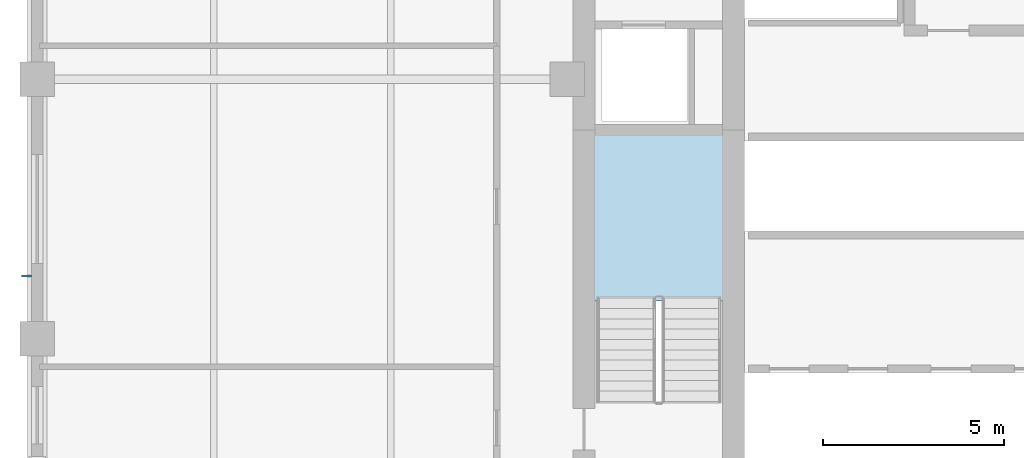
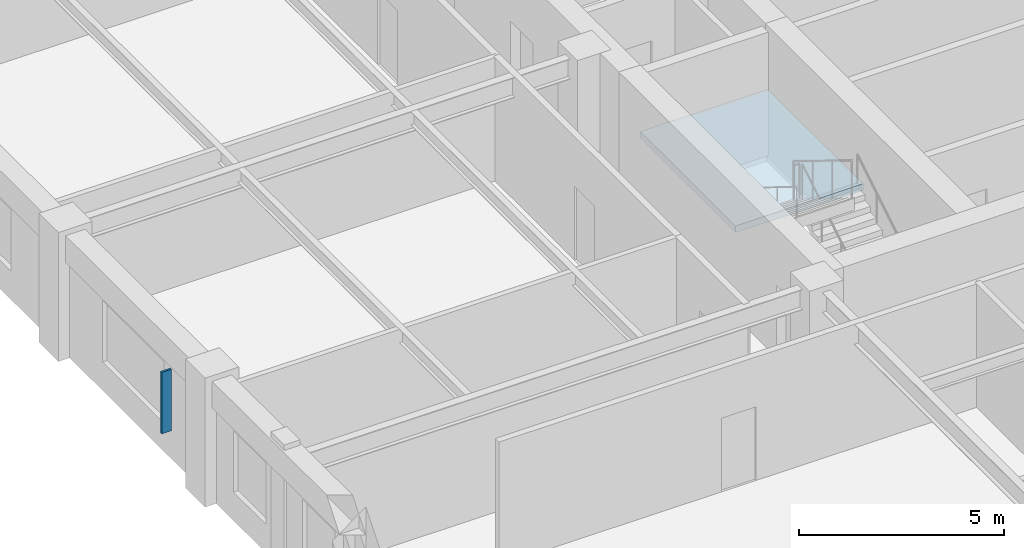
# One storey, part 3 of 11: 1 plate, 1 slab, 1 element without a shape of its own.
"""IFC4 building model written with IfcOpenShell, lengths in metres."""

from ifc_helpers import new_model, si_unit, direction, frame, origin, origin_2d, place, context, subcontext, project, spatial, polyline, rectangle, outline, extrude, material, layer, layer_set, type_object, element, aggregate, save


model = new_model("IFC4")

# Units and contexts
model_context = context("Model", 3, precision=1e-05, world=origin(), true_north=direction((0.0, 1.0)))
body_context = subcontext(model_context, "Body", "Model", "MODEL_VIEW")
ifc_project = project(units=[si_unit("LENGTHUNIT", "METRE"), si_unit("AREAUNIT", "SQUARE_METRE"), si_unit("VOLUMEUNIT", "CUBIC_METRE"), si_unit("PLANEANGLEUNIT", "RADIAN"), si_unit("MASSUNIT", "GRAM", prefix="KILO")], contexts=[model_context])

# Site, building, storey
site_placement = place(None, origin())
site = spatial("IfcSite", under=ifc_project, at=site_placement, CompositionType="ELEMENT")
building_placement = place(site_placement, origin())
building = spatial("IfcBuilding", under=site, at=building_placement, Name="Nhamokura Convention Tower", CompositionType="ELEMENT")
storey_placement = place(building_placement, frame((0.0, 0.0, 141.39990234375)))
storey = spatial("IfcBuildingStorey", under=building, at=storey_placement, Name="L34", CompositionType="ELEMENT", Elevation=141.39990234375)

# Plate
ifc_material_1 = material(Name="Anodised bronze aluminium AA6063-T6", Category="aluminium")
plate_type = type_object("IfcPlateType", Name="BronzeSolarFin_2", PredefinedType="USERDEFINED", material=ifc_material_1)
plate_placement = place(storey_placement, frame((5.699951171875, 26.566650390625, 0.85009765625), z_axis=(0.0, 0.0, 1.0), x_axis=(1.0, 0.0, 0.0)))
element("IfcPlate", 1, at=plate_placement, inside=storey, type_object=plate_type, Name="L34 Bronze Solar Shading Fin WEST 2", ObjectType="SOLAR_FIN", PredefinedType="USERDEFINED", context=body_context, shape_type="SweptSolid", body=[
    extrude(rectangle(XDim=0.280029296875, YDim=0.06005859375, at=origin_2d()), origin(), (0.0, 0.0, 1.0), 1.8349609375),
])

# Stair, slab
ifc_material_2 = material(Name="Concrete C40/50", Category="concrete")
stair_type = type_object("IfcStairType", Name="TowerCoreStair_1650", PredefinedType="HALF_TURN_STAIR", material=ifc_material_2)
stair_placement = place(storey_placement, origin())
stair = element("IfcStair", 2, at=stair_placement, inside=storey, type_object=stair_type, Name="L34 West Core Smokeproof Stair ST-01", PredefinedType="HALF_TURN_STAIR")
ifc_material_3 = material(Name="Concrete C40/50", Category="concrete")
ifc_layer = layer(ifc_material_3, 0.199951171875)
ifc_layer_set = layer_set([ifc_layer], Name="StairLandingSlab_200")
slab_type = type_object("IfcSlabType", Name="StairLandingSlab_200", PredefinedType="LANDING", material=ifc_layer_set)
slab_placement = place(storey_placement, frame((0.0, 0.0, 1.72509765625)))
slab = element("IfcSlab", 3, at=slab_placement, type_object=slab_type, Name="ST-01 landing 1", PredefinedType="LANDING", context=body_context, shape_type="SweptSolid", body=[
    extrude(outline(polyline([(24.97998046875, 25.8701171875), (24.97998046875, 30.530029296875), (21.3701171875, 30.530029296875), (21.3701171875, 25.8701171875), (24.97998046875, 25.8701171875)])), origin(), (0.0, 0.0, 1.0), 0.199951171875),
])
aggregate(stair, [slab])

save(model, "model.ifc")
